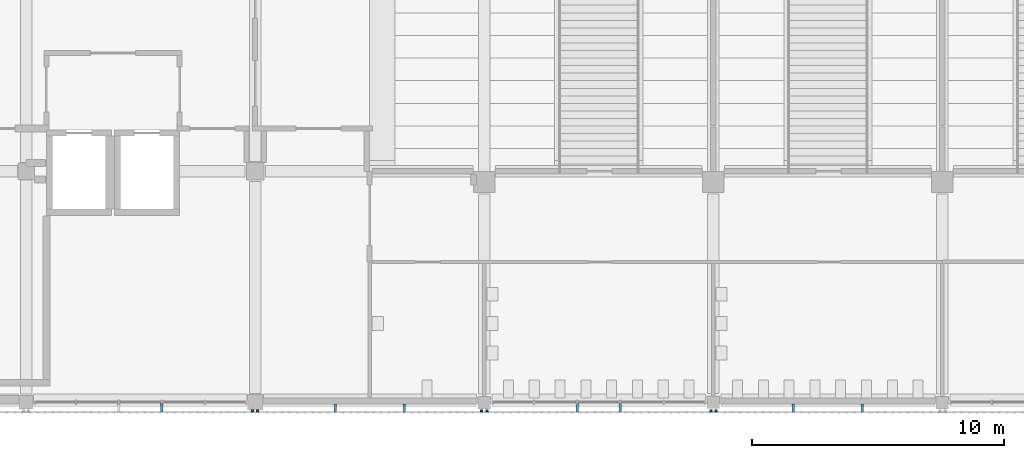
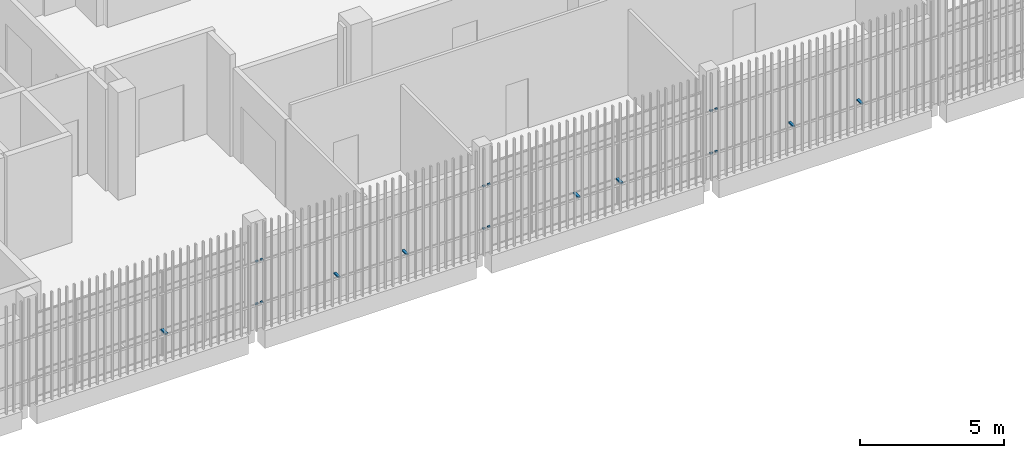
# One storey, part 99 of 139: 19 discrete accessories.
"""IFC4 building model written with IfcOpenShell, lengths in metres."""

import ifcopenshell
import ifcopenshell.guid

model = None  # the IFC model being written
_history = None  # IfcOwnerHistory: only IFC2X3 demands one
_inside = {}  # id of a spatial element -> (the spatial element, [elements in it])
_under = {}  # id of a project, library or spatial element -> (it, [spatial elements below it])
_declared = {}  # id of a project -> (the project, [libraries it declares])
_typed = {}  # id of a type object -> (the type object, [elements of that type])
_made_of = {}  # id of a material, layer set ... -> (it, [elements and type objects made of it])


def new_model(schema):
    """Start an empty IFC model of exactly this schema.

    Asked for "IFC4X3", IfcOpenShell would pick the latest addendum, in which some entities
    have other attributes; the version numbers below select the first issue.
    IFC2X3 requires an IfcOwnerHistory on every rooted entity: one is made here for all.
    """
    global model, _history
    if schema == "IFC4X3":
        model = ifcopenshell.file(schema_version=(4, 3, 0, 0))
    else:
        model = ifcopenshell.file(schema=schema)
    _inside.clear()
    _under.clear()
    _declared.clear()
    _typed.clear()
    _made_of.clear()
    _history = None
    if model.schema == "IFC2X3":
        org = make("IfcOrganization", Name="unknown")
        user = make(
            "IfcPersonAndOrganization",
            ThePerson=make("IfcPerson", FamilyName="unknown"),
            TheOrganization=org,
        )
        app = make(
            "IfcApplication",
            ApplicationDeveloper=org,
            Version="unknown",
            ApplicationFullName="unknown",
            ApplicationIdentifier="unknown",
        )
        _history = make(
            "IfcOwnerHistory",
            OwningUser=user,
            OwningApplication=app,
            ChangeAction="ADDED",
            CreationDate=0,
        )
    return model


def make(cls, **values):
    """One entity of the class cls with the attributes given. An attribute that is None is left unset."""
    return model.create_entity(
        cls, **{name: value for name, value in values.items() if value is not None}
    )


def rooted(cls, **values):
    """An entity with a GlobalId (a new one), such as an element, a storey or a relation."""
    return make(cls, GlobalId=ifcopenshell.guid.new(), OwnerHistory=_history, **values)


def si_unit(unit_type, name, prefix=None):
    """IfcSIUnit, for example si_unit("LENGTHUNIT", "METRE", prefix="MILLI")."""
    return make("IfcSIUnit", UnitType=unit_type, Prefix=prefix, Name=name)


def assignment(units):
    """IfcUnitAssignment: the units of a project."""
    return None if units is None else make("IfcUnitAssignment", Units=units)


def point(xyz):
    """IfcCartesianPoint."""
    return None if xyz is None else make("IfcCartesianPoint", Coordinates=xyz)


def direction(xyz):
    """IfcDirection."""
    return None if xyz is None else make("IfcDirection", DirectionRatios=xyz)


def frame(location, z_axis=None, x_axis=None):
    """IfcAxis2Placement3D, a coordinate frame: its origin and axes. An axis left out is left unset."""
    return make(
        "IfcAxis2Placement3D",
        Location=point(location),
        Axis=direction(z_axis),
        RefDirection=direction(x_axis),
    )


def frame_2d(location, x_axis=None):
    """IfcAxis2Placement2D, a coordinate frame in the plane: its origin and x axis."""
    return make(
        "IfcAxis2Placement2D", Location=point(location), RefDirection=direction(x_axis)
    )


def origin():
    """The frame at (0, 0, 0) with its axes left unset."""
    return frame((0.0, 0.0, 0.0))


def origin_2d():
    """The frame at (0, 0) in the plane with its x axis left unset."""
    return frame_2d((0.0, 0.0))


def place(relative_to, where):
    """IfcLocalPlacement: puts the frame where relative to a parent placement (None: the world)."""
    return make(
        "IfcLocalPlacement", PlacementRelTo=relative_to, RelativePlacement=where
    )


def context(
    kind, dimensions, precision=None, world=None, true_north=None, identifier=None
):
    """IfcGeometricRepresentationContext, for example the 3D "Model" context."""
    return make(
        "IfcGeometricRepresentationContext",
        ContextIdentifier=identifier,
        ContextType=kind,
        CoordinateSpaceDimension=dimensions,
        Precision=precision,
        WorldCoordinateSystem=world,
        TrueNorth=true_north,
    )


def subcontext(parent, identifier, kind, view, scale=None):
    """IfcGeometricRepresentationSubContext, for example "Body" below "Model"."""
    return make(
        "IfcGeometricRepresentationSubContext",
        ContextIdentifier=identifier,
        ContextType=kind,
        ParentContext=parent,
        TargetScale=scale,
        TargetView=view,
    )


def project(units=None, contexts=None):
    """IfcProject with its units and contexts."""
    return rooted(
        "IfcProject",
        Name="project",
        RepresentationContexts=contexts,
        UnitsInContext=assignment(units),
    )


def spatial(cls, under=None, at=None, **own):
    """A site, building, storey or space (cls), placed at a placement, below another one or the project."""
    s = rooted(cls, ObjectPlacement=at, **own)
    if under is not None:
        _under.setdefault(under.id(), (under, []))[1].append(s)
    return s


def profile(cls, at=None, kind="AREA", **sizes):
    """A parametric profile (cls). Its sizes go by their IFC names, for example OverallWidth=200.0."""
    return make(cls, ProfileType=kind, Position=at, **sizes)


def rectangle(**sizes):
    """IfcRectangleProfileDef."""
    return profile("IfcRectangleProfileDef", **sizes)


def extrude(swept, where, along, depth):
    """IfcExtrudedAreaSolid: the profile swept, set in the frame where, extruded along a direction by depth."""
    return make(
        "IfcExtrudedAreaSolid",
        SweptArea=swept,
        Position=where,
        ExtrudedDirection=direction(along),
        Depth=depth,
    )


def shape(context_of_items, identifier, shape_type, items):
    """IfcShapeRepresentation: the items that make up one representation, for example the "Body"."""
    return make(
        "IfcShapeRepresentation",
        ContextOfItems=context_of_items,
        RepresentationIdentifier=identifier,
        RepresentationType=shape_type,
        Items=items,
    )


def material(Name=None, Category=None):
    """IfcMaterial."""
    return make("IfcMaterial", Name=Name, Category=Category)


def made_of(thing, what):
    """Note that an element or type object is made of a material, layer set ...; save() writes the relation."""
    if what is not None:
        _made_of.setdefault(what.id(), (what, []))[1].append(thing)
    return thing


def type_object(cls, material=None, **own):
    """A type object (cls), such as IfcWallType, which elements share."""
    return made_of(rooted(cls, **own), material)


def element(
    cls,
    number,
    at=None,
    inside=None,
    cuts=None,
    type_object=None,
    material=None,
    context=None,
    identifier="Body",
    shape_type=None,
    held_by="IfcProductDefinitionShape",
    body=None,
    shapes=None,
    **own,
):
    """One element of the class cls, such as IfcWall. Its Tag is "e" and its number.

    at: its placement. inside: the storey or other place that contains it. cuts: it is an
    opening in that element (IfcRelVoidsElement). A single representation is given by context,
    identifier, shape_type and body (its items); several are given by shapes. held_by: the class
    of the entity that holds the representations. save() writes the other relations.
    """
    e = rooted(cls, Tag="e%d" % number, ObjectPlacement=at, **own)
    if body is not None:
        shapes = [shape(context, identifier, shape_type, body)]
    if shapes is not None:
        e.Representation = make(held_by, Representations=shapes)
    if inside is not None:
        _inside.setdefault(inside.id(), (inside, []))[1].append(e)
    if cuts is not None:
        rooted(
            "IfcRelVoidsElement", RelatingBuildingElement=cuts, RelatedOpeningElement=e
        )
    if type_object is not None:
        _typed.setdefault(type_object.id(), (type_object, []))[1].append(e)
    return made_of(e, material)


def aggregate(whole, parts):
    """IfcRelAggregates: a whole, such as a stair, and the parts it consists of."""
    return rooted("IfcRelAggregates", RelatingObject=whole, RelatedObjects=parts)


def save(model, path):
    """Write the relations noted so far, then the file.

    IfcRelAggregates (storeys below a building ...), IfcRelContainedInSpatialStructure (elements
    in a storey), IfcRelDefinesByType, IfcRelAssociatesMaterial and IfcRelDeclares: one each for
    every whole, place, type object, material and project.
    """
    for whole, parts in _under.values():
        aggregate(whole, parts)
    for where, things in _inside.values():
        rooted(
            "IfcRelContainedInSpatialStructure",
            RelatedElements=things,
            RelatingStructure=where,
        )
    for kind, things in _typed.values():
        rooted("IfcRelDefinesByType", RelatedObjects=things, RelatingType=kind)
    for what, things in _made_of.values():
        rooted("IfcRelAssociatesMaterial", RelatedObjects=things, RelatingMaterial=what)
    for by, libraries in _declared.values():
        rooted("IfcRelDeclares", RelatingContext=by, RelatedDefinitions=libraries)
    model.write(path)


model = new_model("IFC4")

# Units and contexts
model_context = context("Model", 3, precision=1e-05, world=origin(), true_north=direction((0.0, 1.0)))
body_context = subcontext(model_context, "Body", "Model", "MODEL_VIEW")
ifc_project = project(units=[si_unit("LENGTHUNIT", "METRE"), si_unit("AREAUNIT", "SQUARE_METRE"), si_unit("VOLUMEUNIT", "CUBIC_METRE"), si_unit("PLANEANGLEUNIT", "RADIAN"), si_unit("MASSUNIT", "GRAM", prefix="KILO")], contexts=[model_context])

# Site, building, storey
site_placement = place(None, origin())
site = spatial("IfcSite", under=ifc_project, at=site_placement, CompositionType="ELEMENT")
building_placement = place(site_placement, origin())
building = spatial("IfcBuilding", under=site, at=building_placement, Name="Shirokan Park Arena", CompositionType="ELEMENT")
storey_placement = place(building_placement, frame((0.0, 0.0, 15.469970703125)))
storey = spatial("IfcBuildingStorey", under=building, at=storey_placement, Name="L03", CompositionType="ELEMENT", Elevation=15.469970703125)

# Discrete accessories
ifc_material = material(Name="Steel S355", Category="steel")
discrete_accessory_type = type_object("IfcDiscreteAccessoryType", Name="Veil bracket 100x60", PredefinedType="BRACKET", material=ifc_material)
for number, where, z_axis, x_axis, name in (
    (1, (36.300048828125, -0.409912109375, 1.070068359375), (0.0, 0.0, 1.0), (1.0, 0.0, 0.0), "Veil bracket south bay 4 L03 2"),
    (2, (36.300048828125, -0.409912109375, 2.8701171875), (0.0, 0.0, 1.0), (1.0, 0.0, 0.0), "Veil bracket south bay 4 L03 4"),
):
    element("IfcDiscreteAccessory", number, at=place(storey_placement, frame(where, z_axis=z_axis, x_axis=x_axis)), inside=storey, type_object=discrete_accessory_type, Name=name, PredefinedType="BRACKET", context=body_context, shape_type="SweptSolid", body=[
        extrude(rectangle(XDim=0.10009765625, YDim=0.070068359375, at=origin_2d()), origin(), (0.0, 0.0, 1.0), 0.06005859375),
    ])
discrete_accessory_placement = place(storey_placement, frame((32.68994140625, -0.2724609375, 1.070068359375), z_axis=(0.0, 0.0, 1.0), x_axis=(1.0, 0.0, 0.0)))
element("IfcDiscreteAccessory", 3, at=discrete_accessory_placement, inside=storey, type_object=discrete_accessory_type, Name="Veil bracket south bay 4 L03 wall 2", PredefinedType="BRACKET", context=body_context, shape_type="SweptSolid", body=[
    extrude(rectangle(XDim=0.10009765625, YDim=0.344970703125, at=origin_2d()), origin(), (0.0, 0.0, 1.0), 0.06005859375),
])
for number, where, z_axis, x_axis, name in (
    (4, (36.5, -0.409912109375, 1.070068359375), (0.0, 0.0, 1.0), (1.0, 0.0, 0.0), "Veil bracket south bay 5 L03 1"),
    (5, (45.39990234375, -0.409912109375, 1.070068359375), (0.0, 0.0, 1.0), (1.0, 0.0, 0.0), "Veil bracket south bay 5 L03 2"),
    (6, (36.5, -0.409912109375, 2.8701171875), (0.0, 0.0, 1.0), (1.0, 0.0, 0.0), "Veil bracket south bay 5 L03 3"),
    (7, (45.39990234375, -0.409912109375, 2.8701171875), (0.0, 0.0, 1.0), (1.0, 0.0, 0.0), "Veil bracket south bay 5 L03 4"),
):
    element("IfcDiscreteAccessory", number, at=place(storey_placement, frame(where, z_axis=z_axis, x_axis=x_axis)), inside=storey, type_object=discrete_accessory_type, Name=name, PredefinedType="BRACKET", context=body_context, shape_type="SweptSolid", body=[
        extrude(rectangle(XDim=0.10009765625, YDim=0.070068359375, at=origin_2d()), origin(), (0.0, 0.0, 1.0), 0.06005859375),
    ])
for number, where, z_axis, x_axis, name in (
    (8, (39.5849609375, -0.297607421875, 1.070068359375), (0.0, 0.0, 1.0), (1.0, 0.0, 0.0), "Veil bracket south bay 5 L03 wall 1"),
    (9, (42.31494140625, -0.297607421875, 1.070068359375), (0.0, 0.0, 1.0), (1.0, 0.0, 0.0), "Veil bracket south bay 5 L03 wall 2"),
):
    element("IfcDiscreteAccessory", number, at=place(storey_placement, frame(where, z_axis=z_axis, x_axis=x_axis)), inside=storey, type_object=discrete_accessory_type, Name=name, PredefinedType="BRACKET", context=body_context, shape_type="SweptSolid", body=[
        extrude(rectangle(XDim=0.10009765625, YDim=0.294921875, at=origin_2d()), origin(), (0.0, 0.0, 1.0), 0.06005859375),
    ])
for number, where, z_axis, x_axis, name in (
    (10, (45.60009765625, -0.409912109375, 1.070068359375), (0.0, 0.0, 1.0), (1.0, 0.0, 0.0), "Veil bracket south bay 6 L03 1"),
    (11, (54.5, -0.409912109375, 1.070068359375), (0.0, 0.0, 1.0), (1.0, 0.0, 0.0), "Veil bracket south bay 6 L03 2"),
    (12, (45.60009765625, -0.409912109375, 2.8701171875), (0.0, 0.0, 1.0), (1.0, 0.0, 0.0), "Veil bracket south bay 6 L03 3"),
    (13, (54.5, -0.409912109375, 2.8701171875), (0.0, 0.0, 1.0), (1.0, 0.0, 0.0), "Veil bracket south bay 6 L03 4"),
):
    element("IfcDiscreteAccessory", number, at=place(storey_placement, frame(where, z_axis=z_axis, x_axis=x_axis)), inside=storey, type_object=discrete_accessory_type, Name=name, PredefinedType="BRACKET", context=body_context, shape_type="SweptSolid", body=[
        extrude(rectangle(XDim=0.10009765625, YDim=0.070068359375, at=origin_2d()), origin(), (0.0, 0.0, 1.0), 0.06005859375),
    ])
for number, where, z_axis, x_axis, name in (
    (14, (49.18994140625, -0.2724609375, 1.070068359375), (0.0, 0.0, 1.0), (1.0, 0.0, 0.0), "Veil bracket south bay 6 L03 wall 1"),
    (15, (50.909912109375, -0.2724609375, 1.070068359375), (0.0, 0.0, 1.0), (1.0, 0.0, 0.0), "Veil bracket south bay 6 L03 wall 2"),
):
    element("IfcDiscreteAccessory", number, at=place(storey_placement, frame(where, z_axis=z_axis, x_axis=x_axis)), inside=storey, type_object=discrete_accessory_type, Name=name, PredefinedType="BRACKET", context=body_context, shape_type="SweptSolid", body=[
        extrude(rectangle(XDim=0.10009765625, YDim=0.344970703125, at=origin_2d()), origin(), (0.0, 0.0, 1.0), 0.06005859375),
    ])
for number, where, z_axis, x_axis, name in (
    (16, (54.699951171875, -0.409912109375, 1.070068359375), (0.0, 0.0, 1.0), (1.0, 0.0, 0.0), "Veil bracket south bay 7 L03 1"),
    (17, (54.699951171875, -0.409912109375, 2.8701171875), (0.0, 0.0, 1.0), (1.0, 0.0, 0.0), "Veil bracket south bay 7 L03 3"),
):
    element("IfcDiscreteAccessory", number, at=place(storey_placement, frame(where, z_axis=z_axis, x_axis=x_axis)), inside=storey, type_object=discrete_accessory_type, Name=name, PredefinedType="BRACKET", context=body_context, shape_type="SweptSolid", body=[
        extrude(rectangle(XDim=0.10009765625, YDim=0.070068359375, at=origin_2d()), origin(), (0.0, 0.0, 1.0), 0.06005859375),
    ])
for number, where, z_axis, x_axis, name in (
    (18, (57.784912109375, -0.297607421875, 1.070068359375), (0.0, 0.0, 1.0), (1.0, 0.0, 0.0), "Veil bracket south bay 7 L03 wall 1"),
    (19, (60.514892578125, -0.297607421875, 1.070068359375), (0.0, 0.0, 1.0), (1.0, 0.0, 0.0), "Veil bracket south bay 7 L03 wall 2"),
):
    element("IfcDiscreteAccessory", number, at=place(storey_placement, frame(where, z_axis=z_axis, x_axis=x_axis)), inside=storey, type_object=discrete_accessory_type, Name=name, PredefinedType="BRACKET", context=body_context, shape_type="SweptSolid", body=[
        extrude(rectangle(XDim=0.10009765625, YDim=0.294921875, at=origin_2d()), origin(), (0.0, 0.0, 1.0), 0.06005859375),
    ])

save(model, "model.ifc")
